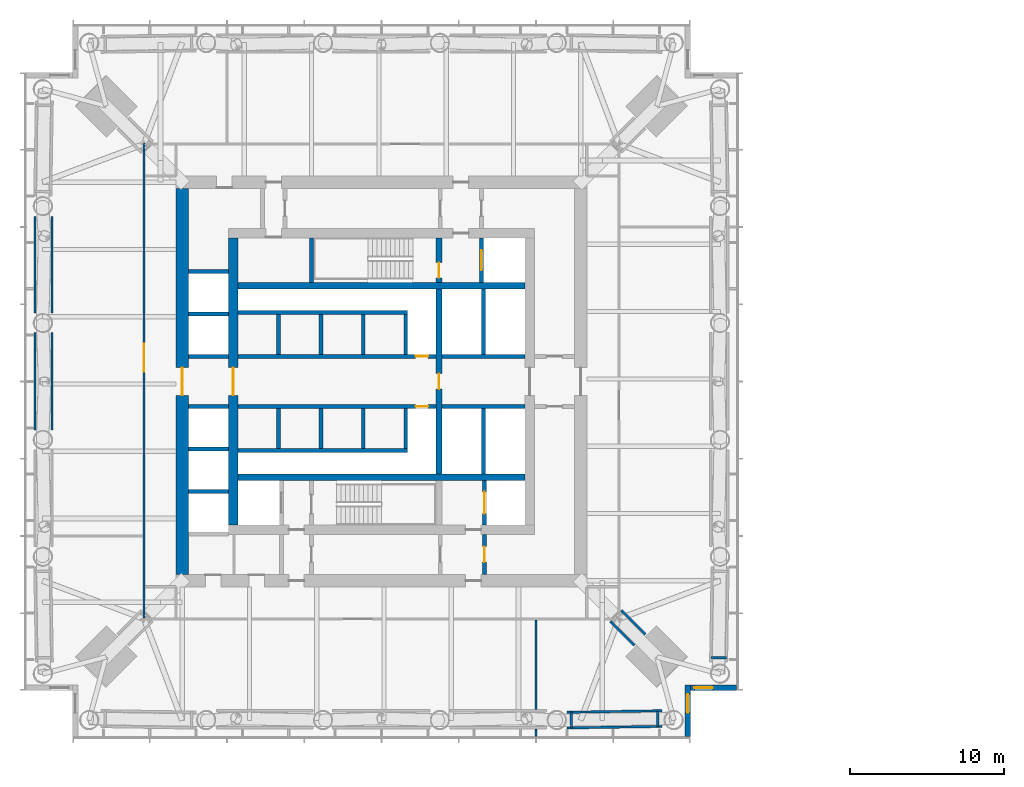
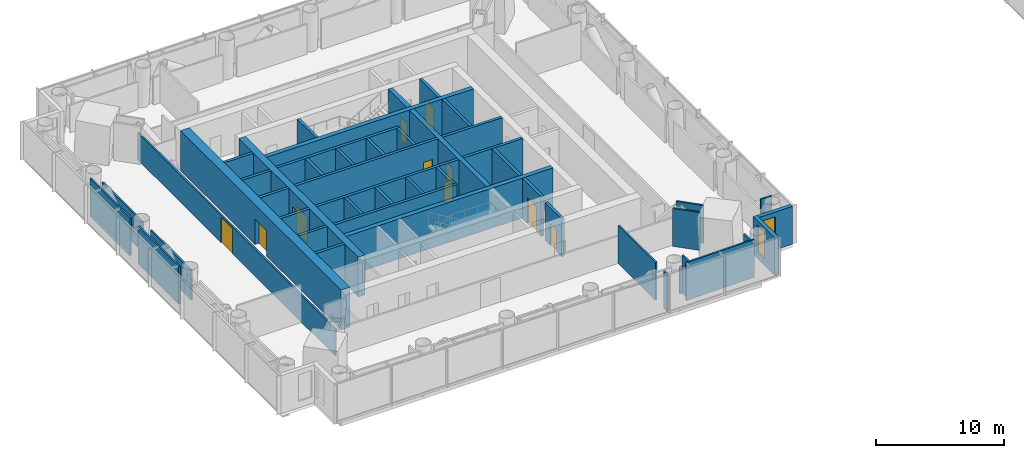
# One storey, part 11 of 18: 48 walls, 10 doors, 2 windows, 12 openings.
"""IFC4 building model written with IfcOpenShell, lengths in metres."""

from ifc_helpers import new_model, si_unit, direction, frame, frame_2d, origin, place, context, subcontext, project, spatial, rectangle, extrude, material, layer, layer_set, type_object, element, fill, save


model = new_model("IFC4")

# Units and contexts
model_context = context("Model", 3, precision=1e-05, world=origin(), true_north=direction((0.0, 1.0)))
body_context = subcontext(model_context, "Body", "Model", "MODEL_VIEW")
ifc_project = project(units=[si_unit("LENGTHUNIT", "METRE"), si_unit("AREAUNIT", "SQUARE_METRE"), si_unit("VOLUMEUNIT", "CUBIC_METRE"), si_unit("PLANEANGLEUNIT", "RADIAN"), si_unit("MASSUNIT", "GRAM", prefix="KILO")], contexts=[model_context])

# Site, building, storey
site_placement = place(None, origin())
site = spatial("IfcSite", under=ifc_project, at=site_placement, CompositionType="ELEMENT")
building_placement = place(site_placement, origin())
building = spatial("IfcBuilding", under=site, at=building_placement, Name="Ostroluk Exchange", CompositionType="ELEMENT")
storey_placement = place(building_placement, frame((0.0, 0.0, 85.60009765625)))
storey = spatial("IfcBuildingStorey", under=building, at=storey_placement, Name="L21", CompositionType="ELEMENT", Elevation=85.60009765625)

# Wall, opening, door
ifc_material_1 = material(Name="Concrete blockwork", Category="masonry")
ifc_layer_1 = layer(ifc_material_1, 0.25)
ifc_layer_set_1 = layer_set([ifc_layer_1], Name="Blockwork stair enclosure wall 250")
wall_type_1 = type_object("IfcWallType", Name="Blockwork stair enclosure wall 250", PredefinedType="SOLIDWALL", material=ifc_layer_set_1)
wall_1_placement = place(storey_placement, frame((51.675048828125, 33.5, 0.0), z_axis=(0.0, 0.0, 1.0), x_axis=(0.0, 1.0, 0.0)))
wall_1 = element("IfcWall", 1, at=wall_1_placement, inside=storey, type_object=wall_type_1, Name="Service lobby enclosure wall", PredefinedType="SOLIDWALL", context=body_context, shape_type="SweptSolid", body=[
    extrude(rectangle(XDim=2.60009765625, YDim=0.25, at=frame_2d((1.300048828125, 0.0))), origin(), (0.0, 0.0, 1.0), 3.599853515625),
])
opening_1_placement = place(wall_1_placement, frame((0.800048828125, 0.0, 0.0)))
opening_1 = element("IfcOpeningElement", 2, at=opening_1_placement, cuts=wall_1, Name="Opening FD60", PredefinedType="OPENING", context=body_context, shape_type="SweptSolid", body=[
    extrude(rectangle(XDim=1.0, YDim=2.10009765625, at=frame_2d((0.5, 1.050048828125))), frame((0.0, 0.135009765625, 0.0), z_axis=(0.0, -1.0, 0.0), x_axis=(1.0, 0.0, 0.0)), (0.0, 0.0, 1.0), 0.27001953125),
])
ifc_material_2 = material(Name="Steel", Category="steel")
door_type_1 = type_object("IfcDoorType", Name="Fire door EI 60 1000 x 2100", OperationType="SINGLE_SWING_LEFT", PredefinedType="DOOR", material=ifc_material_2)
door_1_placement = place(opening_1_placement, origin())
door_1 = element("IfcDoor", 3, at=door_1_placement, inside=storey, type_object=door_type_1, Name="Core link door", OperationType="SINGLE_SWING_LEFT", OverallHeight=2.10009765625, OverallWidth=1.0, PredefinedType="DOOR", context=body_context, shape_type="SweptSolid", body=[
    extrude(rectangle(XDim=1.0, YDim=2.10009765625, at=frame_2d((0.5, 1.050048828125))), frame((0.0, 0.02490234375, 0.0), z_axis=(0.0, -1.0, 0.0), x_axis=(1.0, 0.0, 0.0)), (0.0, 0.0, 1.0), 0.050048828125),
])
fill(opening_1, door_1)

# Walls
ifc_material_3 = material(Name="Concrete C50/60", Category="concrete")
ifc_layer_2 = layer(ifc_material_3, 0.39990234375)
ifc_layer_set_2 = layer_set([ifc_layer_2], Name="Core cross wall 400 C50/60")
wall_type_2 = type_object("IfcWallType", Name="Core cross wall 400 C50/60", PredefinedType="SHEAR", material=ifc_layer_set_2)
for number, where, z_axis, x_axis, name in (
    (4, (35.699951171875, 39.800048828125, 0.0), (0.0, 0.0, 1.0), (1.0, 0.0, 0.0), "T1 core wall XS"),
    (5, (35.699951171875, 52.199951171875, 0.0), (0.0, 0.0, 1.0), (1.0, 0.0, 0.0), "T1 core wall XN"),
):
    element("IfcWall", number, at=place(storey_placement, frame(where, z_axis=z_axis, x_axis=x_axis)), inside=storey, type_object=wall_type_2, Name=name, PredefinedType="SHEAR", context=body_context, shape_type="SweptSolid", body=[
        extrude(rectangle(XDim=18.60009765625, YDim=0.39990234375, at=frame_2d((9.300048828125, 0.0))), origin(), (0.0, 0.0, 1.0), 3.7998046875),
    ])

# Wall, opening, door
wall_2_placement = place(storey_placement, frame((48.72998046875, 40.0, 0.0), z_axis=(0.0, 0.0, 1.0), x_axis=(0.0, 1.0, 0.0)))
wall_2 = element("IfcWall", 6, at=wall_2_placement, inside=storey, type_object=wall_type_2, Name="T1 core wall YE2", PredefinedType="SHEAR", context=body_context, shape_type="SweptSolid", body=[
    extrude(rectangle(XDim=12.0, YDim=0.39990234375, at=frame_2d((6.0, 0.0))), origin(), (0.0, 0.0, 1.0), 3.7998046875),
])
opening_2_placement = place(wall_2_placement, frame((5.5, 0.0, 0.0)))
opening_2 = element("IfcOpeningElement", 7, at=opening_2_placement, cuts=wall_2, Name="Opening FD60", PredefinedType="OPENING", context=body_context, shape_type="SweptSolid", body=[
    extrude(rectangle(XDim=1.0, YDim=2.10009765625, at=frame_2d((0.5, 1.050048828125))), frame((0.0, 0.2099609375, 0.0), z_axis=(0.0, -1.0, 0.0), x_axis=(1.0, 0.0, 0.0)), (0.0, 0.0, 1.0), 0.419921875),
])
door_2_placement = place(opening_2_placement, origin())
door_2 = element("IfcDoor", 8, at=door_2_placement, inside=storey, type_object=door_type_1, Name="Core link door", OperationType="SINGLE_SWING_LEFT", OverallHeight=2.10009765625, OverallWidth=1.0, PredefinedType="DOOR", context=body_context, shape_type="SweptSolid", body=[
    extrude(rectangle(XDim=1.0, YDim=2.10009765625, at=frame_2d((0.5, 1.050048828125))), frame((0.0, 0.02490234375, 0.0), z_axis=(0.0, -1.0, 0.0), x_axis=(1.0, 0.0, 0.0)), (0.0, 0.0, 1.0), 0.050048828125),
])
fill(opening_2, door_2)

wall_3_placement = place(storey_placement, frame((48.72998046875, 52.39990234375, 0.0), z_axis=(0.0, 0.0, 1.0), x_axis=(0.0, 1.0, 0.0)))
wall_3 = element("IfcWall", 9, at=wall_3_placement, inside=storey, type_object=wall_type_2, Name="T1 core wall YE3", PredefinedType="SHEAR", context=body_context, shape_type="SweptSolid", body=[
    extrude(rectangle(XDim=2.900146484375, YDim=0.39990234375, at=frame_2d((1.4501953125, 0.0))), origin(), (0.0, 0.0, 1.0), 3.7998046875),
])
opening_3_placement = place(wall_3_placement, frame((0.300048828125, 0.0, 0.0)))
opening_3 = element("IfcOpeningElement", 10, at=opening_3_placement, cuts=wall_3, Name="Opening FD60", PredefinedType="OPENING", context=body_context, shape_type="SweptSolid", body=[
    extrude(rectangle(XDim=1.0, YDim=2.10009765625, at=frame_2d((0.5, 1.050048828125))), frame((0.0, 0.2099609375, 0.0), z_axis=(0.0, -1.0, 0.0), x_axis=(1.0, 0.0, 0.0)), (0.0, 0.0, 1.0), 0.419921875),
])
door_3_placement = place(opening_3_placement, origin())
door_3 = element("IfcDoor", 11, at=door_3_placement, inside=storey, type_object=door_type_1, Name="Stair T1-S2 door", OperationType="SINGLE_SWING_LEFT", OverallHeight=2.10009765625, OverallWidth=1.0, PredefinedType="DOOR", context=body_context, shape_type="SweptSolid", body=[
    extrude(rectangle(XDim=1.0, YDim=2.10009765625, at=frame_2d((0.5, 1.050048828125))), frame((0.0, 0.02490234375, 0.0), z_axis=(0.0, -1.0, 0.0), x_axis=(1.0, 0.0, 0.0)), (0.0, 0.0, 1.0), 0.050048828125),
])
fill(opening_3, door_3)

ifc_material_4 = material(Name="Concrete C40/50", Category="concrete")
ifc_layer_3 = layer(ifc_material_4, 0.25)
ifc_layer_set_3 = layer_set([ifc_layer_3], Name="Core shaft wall 250")
wall_type_3 = type_object("IfcWallType", Name="Core shaft wall 250", PredefinedType="SHEAR", material=ifc_layer_set_3)
wall_4_placement = place(storey_placement, frame((51.675048828125, 36.699951171875, 0.0), z_axis=(0.0, 0.0, 1.0), x_axis=(0.0, 1.0, 0.0)))
wall_4 = element("IfcWall", 12, at=wall_4_placement, inside=storey, type_object=wall_type_3, Name="Service lift shaft wall", PredefinedType="SHEAR", context=body_context, shape_type="SweptSolid", body=[
    extrude(rectangle(XDim=2.900146484375, YDim=0.25, at=frame_2d((1.4501953125, 0.0))), origin(), (0.0, 0.0, 1.0), 3.7998046875),
])
opening_4_placement = place(wall_4_placement, frame((0.75, 0.0, 0.0)))
opening_4 = element("IfcOpeningElement", 13, at=opening_4_placement, cuts=wall_4, Name="Opening LD3", PredefinedType="OPENING", context=body_context, shape_type="SweptSolid", body=[
    extrude(rectangle(XDim=1.39990234375, YDim=2.39990234375, at=frame_2d((0.699951171875, 1.199951171875))), frame((0.0, 0.135009765625, 0.0), z_axis=(0.0, -1.0, 0.0), x_axis=(1.0, 0.0, 0.0)), (0.0, 0.0, 1.0), 0.27001953125),
])
ifc_material_5 = material(Name="Stainless steel", Category="steel")
door_type_2 = type_object("IfcDoorType", Name="Goods lift landing door E 60 1400 x 2400", OperationType="DOUBLE_DOOR_SLIDING", PredefinedType="DOOR", material=ifc_material_5)
door_4_placement = place(opening_4_placement, origin())
door_4 = element("IfcDoor", 14, at=door_4_placement, inside=storey, type_object=door_type_2, Name="Lift SL1 landing door", OperationType="DOUBLE_DOOR_SLIDING", OverallHeight=2.39990234375, OverallWidth=1.39990234375, PredefinedType="DOOR", context=body_context, shape_type="SweptSolid", body=[
    extrude(rectangle(XDim=1.39990234375, YDim=2.39990234375, at=frame_2d((0.699951171875, 1.199951171875))), frame((0.0, 0.02490234375, 0.0), z_axis=(0.0, -1.0, 0.0), x_axis=(1.0, 0.0, 0.0)), (0.0, 0.0, 1.0), 0.050048828125),
])
fill(opening_4, door_4)

# Wall
wall_5_placement = place(storey_placement, frame((40.47509765625, 52.39990234375, 0.0), z_axis=(0.0, 0.0, 1.0), x_axis=(0.0, 1.0, 0.0)))
element("IfcWall", 15, at=wall_5_placement, inside=storey, type_object=wall_type_3, Name="Stair shaft wall", PredefinedType="SHEAR", context=body_context, shape_type="SweptSolid", body=[
    extrude(rectangle(XDim=2.900146484375, YDim=0.25, at=frame_2d((1.4501953125, 0.0))), origin(), (0.0, 0.0, 1.0), 3.7998046875),
])

# Wall, opening, door
wall_6_placement = place(storey_placement, frame((51.47509765625, 52.39990234375, 0.0), z_axis=(0.0, 0.0, 1.0), x_axis=(0.0, 1.0, 0.0)))
wall_6 = element("IfcWall", 16, at=wall_6_placement, inside=storey, type_object=wall_type_3, Name="Firefighting lift shaft wall", PredefinedType="SHEAR", context=body_context, shape_type="SweptSolid", body=[
    extrude(rectangle(XDim=2.900146484375, YDim=0.25, at=frame_2d((1.4501953125, 0.0))), origin(), (0.0, 0.0, 1.0), 3.7998046875),
])
opening_5_placement = place(wall_6_placement, frame((0.800048828125, 0.0, 0.0)))
opening_5 = element("IfcOpeningElement", 17, at=opening_5_placement, cuts=wall_6, Name="Opening LD2", PredefinedType="OPENING", context=body_context, shape_type="SweptSolid", body=[
    extrude(rectangle(XDim=1.300048828125, YDim=2.199951171875, at=frame_2d((0.64990234375, 1.10009765625))), frame((0.0, 0.135009765625, 0.0), z_axis=(0.0, -1.0, 0.0), x_axis=(1.0, 0.0, 0.0)), (0.0, 0.0, 1.0), 0.27001953125),
])
ifc_material_6 = material(Name="Stainless steel", Category="steel")
door_type_3 = type_object("IfcDoorType", Name="Lift landing door E 60 1300 x 2200", OperationType="DOUBLE_DOOR_SLIDING", PredefinedType="DOOR", material=ifc_material_6)
door_5_placement = place(opening_5_placement, origin())
door_5 = element("IfcDoor", 18, at=door_5_placement, inside=storey, type_object=door_type_3, Name="Lift FL2 landing door", OperationType="DOUBLE_DOOR_SLIDING", OverallHeight=2.199951171875, OverallWidth=1.300048828125, PredefinedType="DOOR", context=body_context, shape_type="SweptSolid", body=[
    extrude(rectangle(XDim=1.300048828125, YDim=2.199951171875, at=frame_2d((0.64990234375, 1.10009765625))), frame((0.0, 0.02490234375, 0.0), z_axis=(0.0, -1.0, 0.0), x_axis=(1.0, 0.0, 0.0)), (0.0, 0.0, 1.0), 0.050048828125),
])
fill(opening_5, door_5)

# Walls
for number, where, z_axis, x_axis, name in (
    (19, (38.324951171875, 47.75, 0.0), (0.0, 0.0, 1.0), (0.0, 1.0, 0.0), "Lift shaft wall"),
    (20, (41.074951171875, 47.75, 0.0), (0.0, 0.0, 1.0), (0.0, 1.0, 0.0), "Lift shaft wall"),
    (21, (43.824951171875, 47.75, 0.0), (0.0, 0.0, 1.0), (0.0, 1.0, 0.0), "Lift shaft wall"),
    (22, (46.574951171875, 47.75, 0.0), (0.0, 0.0, 1.0), (0.0, 1.0, 0.0), "Lift shaft wall"),
):
    element("IfcWall", number, at=place(storey_placement, frame(where, z_axis=z_axis, x_axis=x_axis)), inside=storey, type_object=wall_type_3, Name=name, PredefinedType="SHEAR", context=body_context, shape_type="SweptSolid", body=[
        extrude(rectangle(XDim=2.60009765625, YDim=0.25, at=frame_2d((1.300048828125, 0.0))), origin(), (0.0, 0.0, 1.0), 3.7998046875),
    ])
wall_7_placement = place(storey_placement, frame((35.699951171875, 50.47509765625, 0.0), z_axis=(0.0, 0.0, 1.0), x_axis=(1.0, 0.0, 0.0)))
element("IfcWall", 23, at=wall_7_placement, inside=storey, type_object=wall_type_3, Name="Lift shaft wall", PredefinedType="SHEAR", context=body_context, shape_type="SweptSolid", body=[
    extrude(rectangle(XDim=11.0, YDim=0.25, at=frame_2d((5.5, 0.0))), origin(), (0.0, 0.0, 1.0), 3.7998046875),
])

# Wall, opening, door
wall_8_placement = place(storey_placement, frame((35.699951171875, 47.625, 0.0), z_axis=(0.0, 0.0, 1.0), x_axis=(1.0, 0.0, 0.0)))
wall_8 = element("IfcWall", 24, at=wall_8_placement, inside=storey, type_object=wall_type_3, Name="Lift shaft front wall", PredefinedType="SHEAR", context=body_context, shape_type="SweptSolid", body=[
    extrude(rectangle(XDim=12.830078125, YDim=0.25, at=frame_2d((6.4150390625, 0.0))), origin(), (0.0, 0.0, 1.0), 3.7998046875),
])
opening_6_placement = place(wall_8_placement, frame((11.514892578125, 0.0, 0.0)))
opening_6 = element("IfcOpeningElement", 25, at=opening_6_placement, cuts=wall_8, Name="Opening RD60", PredefinedType="OPENING", context=body_context, shape_type="SweptSolid", body=[
    extrude(rectangle(XDim=0.800048828125, YDim=2.0, at=frame_2d((0.39990234375, 1.0))), frame((0.0, 0.135009765625, 0.0), z_axis=(0.0, -1.0, 0.0), x_axis=(1.0, 0.0, 0.0)), (0.0, 0.0, 1.0), 0.27001953125),
])
ifc_material_7 = material(Name="Steel", Category="steel")
door_type_4 = type_object("IfcDoorType", Name="Riser access door EI 60 800 x 2000", OperationType="SINGLE_SWING_LEFT", PredefinedType="DOOR", material=ifc_material_7)
door_6_placement = place(opening_6_placement, origin())
door_6 = element("IfcDoor", 26, at=door_6_placement, inside=storey, type_object=door_type_4, Name="Riser access door", OperationType="SINGLE_SWING_RIGHT", OverallHeight=2.0, OverallWidth=0.800048828125, PredefinedType="DOOR", context=body_context, shape_type="SweptSolid", body=[
    extrude(rectangle(XDim=0.800048828125, YDim=2.0, at=frame_2d((0.39990234375, 1.0))), frame((0.0, 0.02490234375, 0.0), z_axis=(0.0, -1.0, 0.0), x_axis=(1.0, 0.0, 0.0)), (0.0, 0.0, 1.0), 0.050048828125),
])
fill(opening_6, door_6)

# Walls
for number, where, z_axis, x_axis, name in (
    (27, (38.324951171875, 44.25, 0.0), (0.0, 0.0, 1.0), (0.0, -1.0, 0.0), "Lift shaft wall"),
    (28, (41.074951171875, 44.25, 0.0), (0.0, 0.0, 1.0), (0.0, -1.0, 0.0), "Lift shaft wall"),
    (29, (43.824951171875, 44.25, 0.0), (0.0, 0.0, 1.0), (0.0, -1.0, 0.0), "Lift shaft wall"),
    (30, (46.574951171875, 44.25, 0.0), (0.0, 0.0, 1.0), (0.0, -1.0, 0.0), "Lift shaft wall"),
):
    element("IfcWall", number, at=place(storey_placement, frame(where, z_axis=z_axis, x_axis=x_axis)), inside=storey, type_object=wall_type_3, Name=name, PredefinedType="SHEAR", context=body_context, shape_type="SweptSolid", body=[
        extrude(rectangle(XDim=2.60009765625, YDim=0.25, at=frame_2d((1.300048828125, 0.0))), origin(), (0.0, 0.0, 1.0), 3.7998046875),
    ])
wall_9_placement = place(storey_placement, frame((35.699951171875, 41.52490234375, 0.0), z_axis=(0.0, 0.0, 1.0), x_axis=(1.0, 0.0, 0.0)))
element("IfcWall", 31, at=wall_9_placement, inside=storey, type_object=wall_type_3, Name="Lift shaft wall", PredefinedType="SHEAR", context=body_context, shape_type="SweptSolid", body=[
    extrude(rectangle(XDim=11.0, YDim=0.25, at=frame_2d((5.5, 0.0))), origin(), (0.0, 0.0, 1.0), 3.7998046875),
])

# Wall, opening, door
wall_10_placement = place(storey_placement, frame((35.699951171875, 44.375, 0.0), z_axis=(0.0, 0.0, 1.0), x_axis=(1.0, 0.0, 0.0)))
wall_10 = element("IfcWall", 32, at=wall_10_placement, inside=storey, type_object=wall_type_3, Name="Lift shaft front wall", PredefinedType="SHEAR", context=body_context, shape_type="SweptSolid", body=[
    extrude(rectangle(XDim=12.830078125, YDim=0.25, at=frame_2d((6.4150390625, 0.0))), origin(), (0.0, 0.0, 1.0), 3.7998046875),
])
opening_7_placement = place(wall_10_placement, frame((11.514892578125, 0.0, 0.0)))
opening_7 = element("IfcOpeningElement", 33, at=opening_7_placement, cuts=wall_10, Name="Opening RD60", PredefinedType="OPENING", context=body_context, shape_type="SweptSolid", body=[
    extrude(rectangle(XDim=0.800048828125, YDim=2.0, at=frame_2d((0.39990234375, 1.0))), frame((0.0, 0.135009765625, 0.0), z_axis=(0.0, -1.0, 0.0), x_axis=(1.0, 0.0, 0.0)), (0.0, 0.0, 1.0), 0.27001953125),
])
door_7_placement = place(opening_7_placement, origin())
door_7 = element("IfcDoor", 34, at=door_7_placement, inside=storey, type_object=door_type_4, Name="Riser access door", OperationType="SINGLE_SWING_RIGHT", OverallHeight=2.0, OverallWidth=0.800048828125, PredefinedType="DOOR", context=body_context, shape_type="SweptSolid", body=[
    extrude(rectangle(XDim=0.800048828125, YDim=2.0, at=frame_2d((0.39990234375, 1.0))), frame((0.0, 0.02490234375, 0.0), z_axis=(0.0, -1.0, 0.0), x_axis=(1.0, 0.0, 0.0)), (0.0, 0.0, 1.0), 0.050048828125),
])
fill(opening_7, door_7)

# Walls
wall_11_placement = place(storey_placement, frame((51.614990234375, 47.75, 0.0), z_axis=(0.0, 0.0, 1.0), x_axis=(0.0, 1.0, 0.0)))
element("IfcWall", 35, at=wall_11_placement, inside=storey, type_object=wall_type_3, Name="Lift shaft wall", PredefinedType="SHEAR", context=body_context, shape_type="SweptSolid", body=[
    extrude(rectangle(XDim=4.25, YDim=0.25, at=frame_2d((2.125, 0.0))), origin(), (0.0, 0.0, 1.0), 3.7998046875),
])
wall_12_placement = place(storey_placement, frame((48.929931640625, 47.625, 0.0), z_axis=(0.0, 0.0, 1.0), x_axis=(1.0, 0.0, 0.0)))
element("IfcWall", 36, at=wall_12_placement, inside=storey, type_object=wall_type_3, Name="Lift shaft front wall", PredefinedType="SHEAR", context=body_context, shape_type="SweptSolid", body=[
    extrude(rectangle(XDim=5.3701171875, YDim=0.25, at=frame_2d((2.68505859375, 0.0))), origin(), (0.0, 0.0, 1.0), 3.7998046875),
])
wall_13_placement = place(storey_placement, frame((51.614990234375, 44.25, 0.0), z_axis=(0.0, 0.0, 1.0), x_axis=(0.0, -1.0, 0.0)))
element("IfcWall", 37, at=wall_13_placement, inside=storey, type_object=wall_type_3, Name="Lift shaft wall", PredefinedType="SHEAR", context=body_context, shape_type="SweptSolid", body=[
    extrude(rectangle(XDim=4.25, YDim=0.25, at=frame_2d((2.125, 0.0))), origin(), (0.0, 0.0, 1.0), 3.7998046875),
])
wall_14_placement = place(storey_placement, frame((48.929931640625, 44.375, 0.0), z_axis=(0.0, 0.0, 1.0), x_axis=(1.0, 0.0, 0.0)))
element("IfcWall", 38, at=wall_14_placement, inside=storey, type_object=wall_type_3, Name="Lift shaft front wall", PredefinedType="SHEAR", context=body_context, shape_type="SweptSolid", body=[
    extrude(rectangle(XDim=5.3701171875, YDim=0.25, at=frame_2d((2.68505859375, 0.0))), origin(), (0.0, 0.0, 1.0), 3.7998046875),
])
for number, where, z_axis, x_axis, name in (
    (39, (32.5, 38.875, 0.0), (0.0, 0.0, 1.0), (1.0, 0.0, 0.0), "Lift shaft wall"),
    (40, (32.5, 41.625, 0.0), (0.0, 0.0, 1.0), (1.0, 0.0, 0.0), "Lift shaft wall"),
    (41, (32.5, 44.375, 0.0), (0.0, 0.0, 1.0), (1.0, 0.0, 0.0), "Lift shaft wall"),
    (42, (32.5, 47.625, 0.0), (0.0, 0.0, 1.0), (1.0, 0.0, 0.0), "Lift shaft wall"),
    (43, (32.5, 50.375, 0.0), (0.0, 0.0, 1.0), (1.0, 0.0, 0.0), "Lift shaft wall"),
    (44, (32.5, 53.125, 0.0), (0.0, 0.0, 1.0), (1.0, 0.0, 0.0), "Lift shaft wall"),
):
    element("IfcWall", number, at=place(storey_placement, frame(where, z_axis=z_axis, x_axis=x_axis)), inside=storey, type_object=wall_type_3, Name=name, PredefinedType="SHEAR", context=body_context, shape_type="SweptSolid", body=[
        extrude(rectangle(XDim=2.60009765625, YDim=0.25, at=frame_2d((1.300048828125, 0.0))), origin(), (0.0, 0.0, 1.0), 3.7998046875),
    ])

# Wall, opening, door
ifc_material_8 = material(Name="Concrete C50/60", Category="concrete")
ifc_layer_4 = layer(ifc_material_8, 0.60009765625)
ifc_layer_set_4 = layer_set([ifc_layer_4], Name="Core wall 600 C50/60")
wall_type_4 = type_object("IfcWallType", Name="Core wall 600 C50/60", PredefinedType="SHEAR", material=ifc_layer_set_4)
wall_15_placement = place(storey_placement, frame((35.39990234375, 36.699951171875, 0.0), z_axis=(0.0, 0.0, 1.0), x_axis=(0.0, 1.0, 0.0)))
wall_15 = element("IfcWall", 45, at=wall_15_placement, inside=storey, type_object=wall_type_4, Name="T1 core wall W", PredefinedType="SHEAR", context=body_context, shape_type="SweptSolid", body=[
    extrude(rectangle(XDim=18.60009765625, YDim=0.60009765625, at=frame_2d((9.300048828125, 0.0))), origin(), (0.0, 0.0, 1.0), 3.7998046875),
])
opening_8_placement = place(wall_15_placement, frame((8.39990234375, 0.0, 0.0)))
opening_8 = element("IfcOpeningElement", 46, at=opening_8_placement, cuts=wall_15, Name="Opening FD30D", PredefinedType="OPENING", context=body_context, shape_type="SweptSolid", body=[
    extrude(rectangle(XDim=1.800048828125, YDim=2.39990234375, at=frame_2d((0.89990234375, 1.199951171875))), frame((0.0, 0.31005859375, 0.0), z_axis=(0.0, -1.0, 0.0), x_axis=(1.0, 0.0, 0.0)), (0.0, 0.0, 1.0), 0.6201171875),
])
ifc_material_9 = material(Name="Timber", Category="wood")
door_type_5 = type_object("IfcDoorType", Name="Lobby double door EI 30 1800 x 2400", OperationType="DOUBLE_DOOR_SINGLE_SWING", PredefinedType="DOOR", material=ifc_material_9)
door_8_placement = place(opening_8_placement, origin())
door_8 = element("IfcDoor", 47, at=door_8_placement, inside=storey, type_object=door_type_5, Name="Lift lobby doors", OperationType="DOUBLE_DOOR_SINGLE_SWING", OverallHeight=2.39990234375, OverallWidth=1.800048828125, PredefinedType="DOOR", context=body_context, shape_type="SweptSolid", body=[
    extrude(rectangle(XDim=1.800048828125, YDim=2.39990234375, at=frame_2d((0.89990234375, 1.199951171875))), frame((0.0, 0.02490234375, 0.0), z_axis=(0.0, -1.0, 0.0), x_axis=(1.0, 0.0, 0.0)), (0.0, 0.0, 1.0), 0.050048828125),
])
fill(opening_8, door_8)

ifc_material_10 = material(Name="Concrete C50/60", Category="concrete")
ifc_layer_5 = layer(ifc_material_10, 0.800048828125)
ifc_layer_set_5 = layer_set([ifc_layer_5], Name="Core wall 800 C50/60")
wall_type_5 = type_object("IfcWallType", Name="Core wall 800 C50/60", PredefinedType="SHEAR", material=ifc_layer_set_5)
wall_16_placement = place(storey_placement, frame((32.10009765625, 33.5, 0.0), z_axis=(0.0, 0.0, 1.0), x_axis=(0.0, 1.0, 0.0)))
wall_16 = element("IfcWall", 48, at=wall_16_placement, inside=storey, type_object=wall_type_5, Name="T1 core wall RW", PredefinedType="SHEAR", context=body_context, shape_type="SweptSolid", body=[
    extrude(rectangle(XDim=25.0, YDim=0.800048828125, at=frame_2d((12.5, 0.0))), origin(), (0.0, 0.0, 1.0), 3.7998046875),
])
opening_9_placement = place(wall_16_placement, frame((11.60009765625, 0.0, 0.0)))
opening_9 = element("IfcOpeningElement", 49, at=opening_9_placement, cuts=wall_16, Name="Opening FD30D", PredefinedType="OPENING", context=body_context, shape_type="SweptSolid", body=[
    extrude(rectangle(XDim=1.800048828125, YDim=2.39990234375, at=frame_2d((0.89990234375, 1.199951171875))), frame((0.0, 0.409912109375, 0.0), z_axis=(0.0, -1.0, 0.0), x_axis=(1.0, 0.0, 0.0)), (0.0, 0.0, 1.0), 0.820068359375),
])
door_9_placement = place(opening_9_placement, origin())
door_9 = element("IfcDoor", 50, at=door_9_placement, inside=storey, type_object=door_type_5, Name="Lift lobby doors", OperationType="DOUBLE_DOOR_SINGLE_SWING", OverallHeight=2.39990234375, OverallWidth=1.800048828125, PredefinedType="DOOR", context=body_context, shape_type="SweptSolid", body=[
    extrude(rectangle(XDim=1.800048828125, YDim=2.39990234375, at=frame_2d((0.89990234375, 1.199951171875))), frame((0.0, 0.02490234375, 0.0), z_axis=(0.0, -1.0, 0.0), x_axis=(1.0, 0.0, 0.0)), (0.0, 0.0, 1.0), 0.050048828125),
])
fill(opening_9, door_9)

# Wall, opening, window
ifc_material_11 = material(Name="Limestone", Category="masonry")
ifc_layer_6 = layer(ifc_material_11, 0.35009765625)
ifc_layer_set_6 = layer_set([ifc_layer_6], Name="Limestone facade wall 350")
wall_type_6 = type_object("IfcWallType", Name="Limestone facade wall 350", PredefinedType="SOLIDWALL", material=ifc_layer_set_6)
wall_17_placement = place(storey_placement, frame((64.824951171875, 23.0, 0.0), z_axis=(0.0, 0.0, 1.0), x_axis=(0.0, 1.0, 0.0)))
wall_17 = element("IfcWall", 51, at=wall_17_placement, inside=storey, type_object=wall_type_6, Name="Office tower SE corner wall L21 a", PredefinedType="SOLIDWALL", context=body_context, shape_type="SweptSolid", body=[
    extrude(rectangle(XDim=3.35009765625, YDim=0.35009765625, at=frame_2d((1.675048828125, 0.0))), origin(), (0.0, 0.0, 1.0), 3.599853515625),
])
opening_10_placement = place(wall_17_placement, frame((1.550048828125, 0.0, 0.60009765625)))
opening_10 = element("IfcOpeningElement", 52, at=opening_10_placement, cuts=wall_17, Name="Opening WN-LV1", PredefinedType="OPENING", context=body_context, shape_type="SweptSolid", body=[
    extrude(rectangle(XDim=1.199951171875, YDim=2.550048828125, at=frame_2d((0.60009765625, 1.27490234375))), frame((0.0, 0.18505859375, 0.0), z_axis=(0.0, -1.0, 0.0), x_axis=(1.0, 0.0, 0.0)), (0.0, 0.0, 1.0), 0.3701171875),
])
ifc_material_12 = material(Name="Aluminium louvre", Category="aluminium")
window_type = type_object("IfcWindowType", Name="Lancet louvre 1200 x 2550", PartitioningType="SINGLE_PANEL", PredefinedType="USERDEFINED", material=ifc_material_12)
window_1_placement = place(opening_10_placement, origin())
window_1 = element("IfcWindow", 53, at=window_1_placement, inside=storey, type_object=window_type, Name="Office tower SE plant louvre L21", ObjectType="LOUVRE", OverallHeight=2.550048828125, OverallWidth=1.199951171875, PartitioningType="SINGLE_PANEL", PredefinedType="USERDEFINED", context=body_context, shape_type="SweptSolid", body=[
    extrude(rectangle(XDim=1.199951171875, YDim=2.550048828125, at=frame_2d((0.60009765625, 1.27490234375))), frame((0.0, 0.030029296875, 0.0), z_axis=(0.0, -1.0, 0.0), x_axis=(1.0, 0.0, 0.0)), (0.0, 0.0, 1.0), 0.06005859375),
])
fill(opening_10, window_1)

wall_18_placement = place(storey_placement, frame((65.0, 26.175048828125, 0.0), z_axis=(0.0, 0.0, 1.0), x_axis=(1.0, 0.0, 0.0)))
wall_18 = element("IfcWall", 54, at=wall_18_placement, inside=storey, type_object=wall_type_6, Name="Office tower SE corner wall L21 b", PredefinedType="SOLIDWALL", context=body_context, shape_type="SweptSolid", body=[
    extrude(rectangle(XDim=3.0, YDim=0.35009765625, at=frame_2d((1.5, 0.0))), origin(), (0.0, 0.0, 1.0), 3.599853515625),
])
opening_11_placement = place(wall_18_placement, frame((0.25, 0.0, 0.60009765625)))
opening_11 = element("IfcOpeningElement", 55, at=opening_11_placement, cuts=wall_18, Name="Opening WN-LV1", PredefinedType="OPENING", context=body_context, shape_type="SweptSolid", body=[
    extrude(rectangle(XDim=1.199951171875, YDim=2.550048828125, at=frame_2d((0.60009765625, 1.27490234375))), frame((0.0, 0.18505859375, 0.0), z_axis=(0.0, -1.0, 0.0), x_axis=(1.0, 0.0, 0.0)), (0.0, 0.0, 1.0), 0.3701171875),
])
window_2_placement = place(opening_11_placement, origin())
window_2 = element("IfcWindow", 56, at=window_2_placement, inside=storey, type_object=window_type, Name="Office tower SE plant louvre L21", ObjectType="LOUVRE", OverallHeight=2.550048828125, OverallWidth=1.199951171875, PartitioningType="SINGLE_PANEL", PredefinedType="USERDEFINED", context=body_context, shape_type="SweptSolid", body=[
    extrude(rectangle(XDim=1.199951171875, YDim=2.550048828125, at=frame_2d((0.60009765625, 1.27490234375))), frame((0.0, 0.030029296875, 0.0), z_axis=(0.0, -1.0, 0.0), x_axis=(1.0, 0.0, 0.0)), (0.0, 0.0, 1.0), 0.06005859375),
])
fill(opening_11, window_2)

# Wall, opening, door
ifc_material_13 = material(Name="Gypsum plasterboard partition", Category="gypsum")
ifc_layer_7 = layer(ifc_material_13, 0.14990234375)
ifc_layer_set_7 = layer_set([ifc_layer_7], Name="Plasterboard partition 150")
wall_type_7 = type_object("IfcWallType", Name="Plasterboard partition 150", PredefinedType="PARTITIONING", material=ifc_layer_set_7)
wall_19_placement = place(storey_placement, frame((29.625, 61.449951171875, 0.0), z_axis=(0.0, 0.0, 1.0), x_axis=(0.0, -1.0, 0.0)))
wall_19 = element("IfcWall", 57, at=wall_19_placement, inside=storey, type_object=wall_type_7, Name="Partition", PredefinedType="PARTITIONING", context=body_context, shape_type="SweptSolid", body=[
    extrude(rectangle(XDim=30.75, YDim=0.14990234375, at=frame_2d((15.375, 0.0))), origin(), (0.0, 0.0, 1.0), 2.591796875),
])
opening_12_placement = place(wall_19_placement, frame((13.012451171875, 0.0, 0.0)))
opening_12 = element("IfcOpeningElement", 58, at=opening_12_placement, cuts=wall_19, Name="Opening D-04", PredefinedType="OPENING", context=body_context, shape_type="SweptSolid", body=[
    extrude(rectangle(XDim=1.800048828125, YDim=2.39990234375, at=frame_2d((0.89990234375, 1.199951171875))), frame((0.0, 0.0849609375, 0.0), z_axis=(0.0, -1.0, 0.0), x_axis=(1.0, 0.0, 0.0)), (0.0, 0.0, 1.0), 0.169921875),
])
ifc_material_14 = material(Name="Timber", Category="wood")
door_type_6 = type_object("IfcDoorType", Name="Double door 1800 x 2400", OperationType="DOUBLE_DOOR_SINGLE_SWING", PredefinedType="DOOR", material=ifc_material_14)
door_10_placement = place(opening_12_placement, origin())
door_10 = element("IfcDoor", 59, at=door_10_placement, inside=storey, type_object=door_type_6, Name="Refuge area door", OperationType="DOUBLE_DOOR_SINGLE_SWING", OverallHeight=2.39990234375, OverallWidth=1.800048828125, PredefinedType="DOOR", context=body_context, shape_type="SweptSolid", body=[
    extrude(rectangle(XDim=1.800048828125, YDim=2.39990234375, at=frame_2d((0.89990234375, 1.199951171875))), frame((0.0, 0.02490234375, 0.0), z_axis=(0.0, -1.0, 0.0), x_axis=(1.0, 0.0, 0.0)), (0.0, 0.0, 1.0), 0.050048828125),
])
fill(opening_12, door_10)

# Walls
wall_20_placement = place(storey_placement, frame((55.0, 30.550048828125, 0.0), z_axis=(0.0, 0.0, 1.0), x_axis=(0.0, -1.0, 0.0)))
element("IfcWall", 60, at=wall_20_placement, inside=storey, type_object=wall_type_7, Name="Partition", PredefinedType="PARTITIONING", context=body_context, shape_type="SweptSolid", body=[
    extrude(rectangle(XDim=5.7978515625, YDim=0.14990234375, at=frame_2d((2.89892578125, 0.0))), origin(), (0.0, 0.0, 1.0), 3.599853515625),
])
wall_21_placement = place(storey_placement, frame((55.0, 23.498779296875, 0.0), z_axis=(0.0, 0.0, 1.0), x_axis=(0.0, -1.0, 0.0)))
element("IfcWall", 61, at=wall_21_placement, inside=storey, type_object=wall_type_7, Name="Partition", PredefinedType="PARTITIONING", context=body_context, shape_type="SweptSolid", body=[
    extrude(rectangle(XDim=0.538818359375, YDim=0.14990234375, at=frame_2d((0.26953125, 0.0))), origin(), (0.0, 0.0, 1.0), 3.5498046875),
])
wall_22_placement = place(storey_placement, frame((22.5732421875, 42.8466796875, 0.0), z_axis=(0.0, 0.0, 1.0), x_axis=(0.0, 1.0, 0.0)))
element("IfcWall", 62, at=wall_22_placement, inside=storey, type_object=wall_type_7, Name="Partition", PredefinedType="PARTITIONING", context=body_context, shape_type="SweptSolid", body=[
    extrude(rectangle(XDim=6.306640625, YDim=0.14990234375, at=frame_2d((3.1533203125, 0.0))), origin(), (0.0, 0.0, 1.0), 3.599853515625),
])
wall_23_placement = place(storey_placement, frame((23.6767578125, 49.1533203125, 0.0), z_axis=(0.0, 0.0, 1.0), x_axis=(0.0, -1.0, 0.0)))
element("IfcWall", 63, at=wall_23_placement, inside=storey, type_object=wall_type_7, Name="Partition", PredefinedType="PARTITIONING", context=body_context, shape_type="SweptSolid", body=[
    extrude(rectangle(XDim=6.306640625, YDim=0.14990234375, at=frame_2d((3.1533203125, 0.0))), origin(), (0.0, 0.0, 1.0), 2.837890625),
])
wall_24_placement = place(storey_placement, frame((22.572998046875, 50.438720703125, 0.0), z_axis=(0.0, 0.0, 1.0), x_axis=(0.000156494521, 0.999999987755, 0.0)))
element("IfcWall", 64, at=wall_24_placement, inside=storey, type_object=wall_type_7, Name="Partition", PredefinedType="PARTITIONING", context=body_context, shape_type="SweptSolid", body=[
    extrude(rectangle(XDim=6.240234375, YDim=0.14990234375, at=frame_2d((3.1201171875, 0.0))), origin(), (0.0, 0.0, 1.0), 3.599853515625),
])
wall_25_placement = place(storey_placement, frame((23.67724609375, 56.678955078125, 0.0), z_axis=(0.0, 0.0, 1.0), x_axis=(-0.000156494521, -0.999999987755, 0.0)))
element("IfcWall", 65, at=wall_25_placement, inside=storey, type_object=wall_type_7, Name="Partition", PredefinedType="PARTITIONING", context=body_context, shape_type="SweptSolid", body=[
    extrude(rectangle(XDim=6.240234375, YDim=0.14990234375, at=frame_2d((3.1201171875, 0.0))), origin(), (0.0, 0.0, 1.0), 2.837890625),
])
wall_26_placement = place(storey_placement, frame((62.87451171875, 24.677001953125, 0.0), z_axis=(0.0, 0.0, 1.0), x_axis=(0.016146364379, -0.999869638962, 0.0)))
element("IfcWall", 66, at=wall_26_placement, inside=storey, type_object=wall_type_7, Name="Partition", PredefinedType="PARTITIONING", context=body_context, shape_type="SweptSolid", body=[
    extrude(rectangle(XDim=1.01318359375, YDim=0.14990234375, at=frame_2d((0.506591796875, 0.0))), origin(), (0.0, 0.0, 1.0), 3.599853515625),
])
wall_27_placement = place(storey_placement, frame((63.160888671875, 23.66845703125, 0.0), z_axis=(0.0, 0.0, 1.0), x_axis=(-0.999867556826, -0.016274790516, 0.0)))
element("IfcWall", 67, at=wall_27_placement, inside=storey, type_object=wall_type_7, Name="Partition", PredefinedType="PARTITIONING", context=body_context, shape_type="SweptSolid", body=[
    extrude(rectangle(XDim=6.150390625, YDim=0.14990234375, at=frame_2d((3.0751953125, 0.0))), origin(), (0.0, 0.0, 1.0), 3.599853515625),
])
wall_28_placement = place(storey_placement, frame((57.30126953125, 23.572998046875, 0.0), z_axis=(0.0, 0.0, 1.0), x_axis=(-0.016387290652, 0.999865719337, 0.0)))
element("IfcWall", 68, at=wall_28_placement, inside=storey, type_object=wall_type_7, Name="Partition", PredefinedType="PARTITIONING", context=body_context, shape_type="SweptSolid", body=[
    extrude(rectangle(XDim=1.01318359375, YDim=0.14990234375, at=frame_2d((0.506591796875, 0.0))), origin(), (0.0, 0.0, 1.0), 3.599853515625),
])
wall_29_placement = place(storey_placement, frame((57.014892578125, 24.58154296875, 0.0), z_axis=(0.0, 0.0, 1.0), x_axis=(0.999867546312, 0.016275436477, 0.0)))
element("IfcWall", 69, at=wall_29_placement, inside=storey, type_object=wall_type_7, Name="Partition", PredefinedType="PARTITIONING", context=body_context, shape_type="SweptSolid", body=[
    extrude(rectangle(XDim=6.150146484375, YDim=0.14990234375, at=frame_2d((3.0751953125, 0.0))), origin(), (0.0, 0.0, 1.0), 2.591796875),
])
for number, where, z_axis, x_axis, name in (
    (70, (61.370849609375, 28.922119140625, 0.0), (0.0, 0.0, 1.0), (-0.707106781187, 0.707106781187, 0.0), "Partition"),
    (71, (60.52490234375, 31.18212890625, 0.0), (0.0, 0.0, 1.0), (0.707106781187, -0.707106781187, 0.0), "Partition"),
):
    element("IfcWall", number, at=place(storey_placement, frame(where, z_axis=z_axis, x_axis=x_axis)), inside=storey, type_object=wall_type_7, Name=name, PredefinedType="PARTITIONING", context=body_context, shape_type="SweptSolid", body=[
        extrude(rectangle(XDim=2.1962890625, YDim=0.14990234375, at=frame_2d((1.09814453125, 0.0))), origin(), (0.0, 0.0, 1.0), 3.599853515625),
    ])
wall_30_placement = place(storey_placement, frame((67.3359375, 28.109130859375, 0.0), z_axis=(0.0, 0.0, 1.0), x_axis=(-0.999869638962, 0.016146364379, 0.0)))
element("IfcWall", 72, at=wall_30_placement, inside=storey, type_object=wall_type_7, Name="Partition", PredefinedType="PARTITIONING", context=body_context, shape_type="SweptSolid", body=[
    extrude(rectangle(XDim=1.01318359375, YDim=0.14990234375, at=frame_2d((0.506591796875, 0.0))), origin(), (0.0, 0.0, 1.0), 3.599853515625),
])

save(model, "model.ifc")
